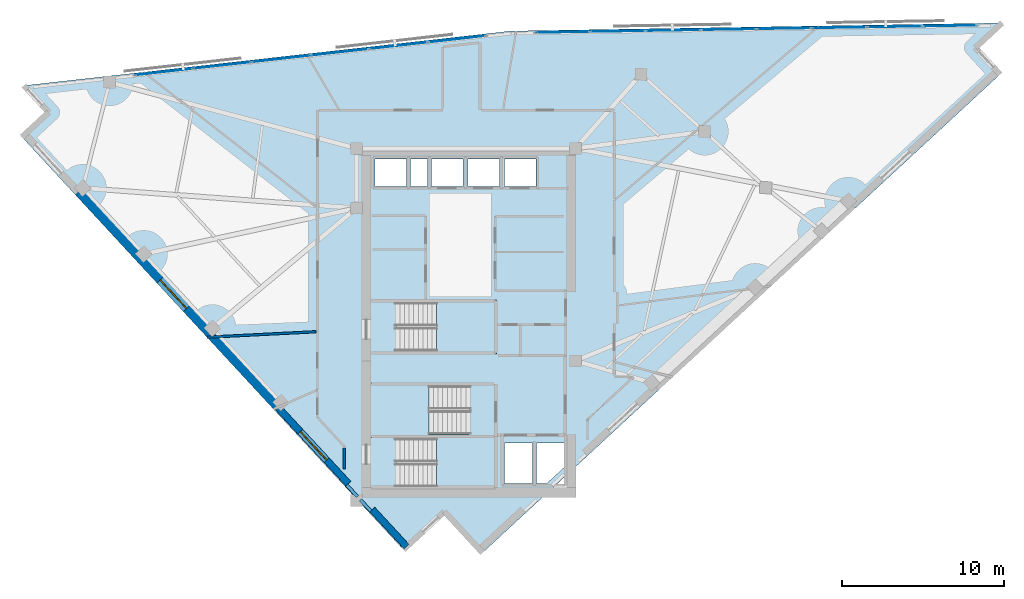
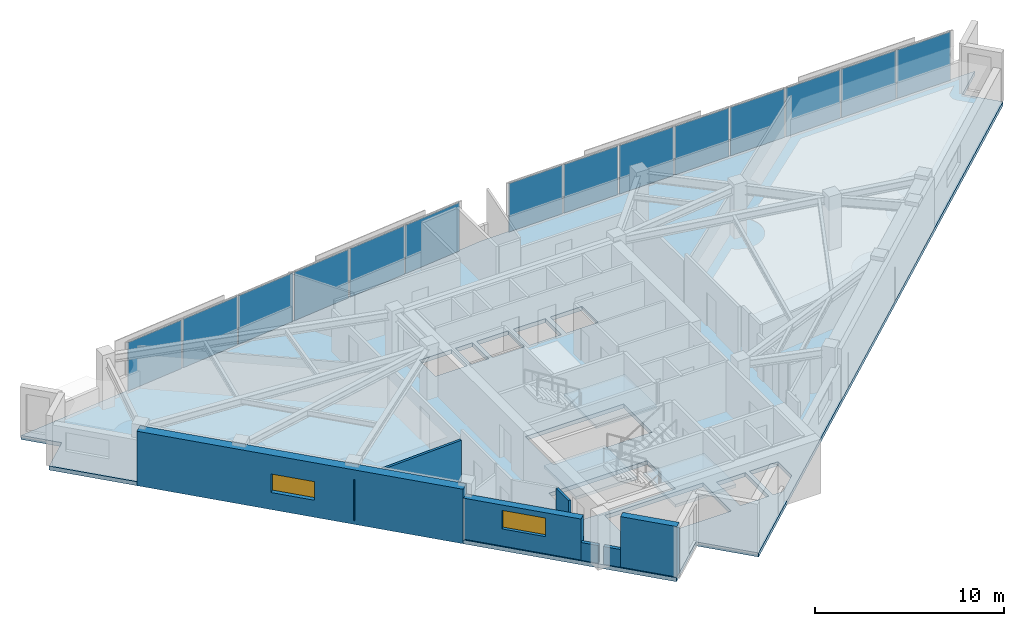
# One storey, part 7 of 13: 14 plates, 7 walls, 4 slabs, 2 windows, 2 openings, 5 elements without a shape of their own.
"""IFC4 building model written with IfcOpenShell, lengths in metres."""

from ifc_helpers import new_model, si_unit, direction, frame, frame_2d, origin, origin_2d, place, context, subcontext, project, spatial, polyline, rectangle, outline, extrude, material, layer, layer_set, type_object, element, fill, aggregate, save


model = new_model("IFC4")

# Units and contexts
model_context = context("Model", 3, precision=1e-05, world=origin(), true_north=direction((0.0, 1.0)))
body_context = subcontext(model_context, "Body", "Model", "MODEL_VIEW")
ifc_project = project(units=[si_unit("LENGTHUNIT", "METRE"), si_unit("AREAUNIT", "SQUARE_METRE"), si_unit("VOLUMEUNIT", "CUBIC_METRE"), si_unit("PLANEANGLEUNIT", "RADIAN"), si_unit("MASSUNIT", "GRAM", prefix="KILO")], contexts=[model_context])

# Site, building, storey
site_placement = place(None, origin())
site = spatial("IfcSite", under=ifc_project, at=site_placement, CompositionType="ELEMENT")
building_placement = place(site_placement, origin())
building = spatial("IfcBuilding", under=site, at=building_placement, Name="Narakoshi Arena Tower", CompositionType="ELEMENT")
storey_placement = place(building_placement, frame((0.0, 0.0, 278.340087890625)))
storey = spatial("IfcBuildingStorey", under=building, at=storey_placement, Name="L76", CompositionType="ELEMENT", Elevation=278.340087890625)

# Curtain wall, plates
ifc_material_1 = material(Name="Anodised bronze aluminium 6063-T6", Category="aluminium")
curtain_wall_type = type_object("IfcCurtainWallType", Name="CW-HYP-HIGH", PredefinedType="NOTDEFINED", material=ifc_material_1)
curtain_wall_1_placement = place(storey_placement, origin())
curtain_wall_1 = element("IfcCurtainWall", 1, at=curtain_wall_1_placement, inside=storey, type_object=curtain_wall_type, Name="L76 Folded Hypotenuse Curtain Wall 1-1", PredefinedType="NOTDEFINED")
ifc_material_2 = material(Name="Bronze-tinted low-E laminated glass", Category="glass")
ifc_layer_1 = layer(ifc_material_2, 0.0439453125)
ifc_layer_set_1 = layer_set([ifc_layer_1], Name="Bronze-tinted low-E laminated glass")
plate_type = type_object("IfcPlateType", Name="PLT-GLZ-44", PredefinedType="CURTAIN_PANEL", material=ifc_layer_set_1)
plate_1_placement = place(storey_placement, frame((108.725341796875, 64.08984375, 0.06494140625), z_axis=(0.0, 0.0, 1.0), x_axis=(-0.999864804777, -0.016442997569, 0.0)))
plate_1 = element("IfcPlate", 2, at=plate_1_placement, type_object=plate_type, Name="CW-03 panel 1.1", PredefinedType="CURTAIN_PANEL", context=body_context, shape_type="SweptSolid", body=[
    extrude(rectangle(XDim=3.307861328125, YDim=0.0439453125, at=origin_2d()), origin(), (0.0, 0.0, 1.0), 3.1298828125),
])
plate_2_placement = place(storey_placement, frame((105.31787109375, 64.033935546875, 0.06494140625), z_axis=(0.0, 0.0, 1.0), x_axis=(-0.999864804777, -0.016442997569, 0.0)))
plate_2 = element("IfcPlate", 3, at=plate_2_placement, type_object=plate_type, Name="CW-03 panel 2.1", PredefinedType="CURTAIN_PANEL", context=body_context, shape_type="SweptSolid", body=[
    extrude(rectangle(XDim=3.34765625, YDim=0.0439453125, at=origin_2d()), origin(), (0.0, 0.0, 1.0), 3.1298828125),
])
plate_3_placement = place(storey_placement, frame((101.890625, 63.9775390625, 0.06494140625), z_axis=(0.0, 0.0, 1.0), x_axis=(-0.999864804777, -0.016442997569, 0.0)))
plate_3 = element("IfcPlate", 4, at=plate_3_placement, type_object=plate_type, Name="CW-03 panel 3.1", PredefinedType="CURTAIN_PANEL", context=body_context, shape_type="SweptSolid", body=[
    extrude(rectangle(XDim=3.34765625, YDim=0.0439453125, at=origin_2d()), origin(), (0.0, 0.0, 1.0), 3.1298828125),
])
plate_4_placement = place(storey_placement, frame((98.46337890625, 63.921142578125, 0.06494140625), z_axis=(0.0, 0.0, 1.0), x_axis=(-0.999864804777, -0.016442997569, 0.0)))
plate_4 = element("IfcPlate", 5, at=plate_4_placement, type_object=plate_type, Name="CW-03 panel 4.1", PredefinedType="CURTAIN_PANEL", context=body_context, shape_type="SweptSolid", body=[
    extrude(rectangle(XDim=3.34765625, YDim=0.0439453125, at=origin_2d()), origin(), (0.0, 0.0, 1.0), 3.1298828125),
])
plate_5_placement = place(storey_placement, frame((95.0361328125, 63.86474609375, 0.06494140625), z_axis=(0.0, 0.0, 1.0), x_axis=(-0.999864804777, -0.016442997569, 0.0)))
plate_5 = element("IfcPlate", 6, at=plate_5_placement, type_object=plate_type, Name="CW-03 panel 5.1", PredefinedType="CURTAIN_PANEL", context=body_context, shape_type="SweptSolid", body=[
    extrude(rectangle(XDim=3.34765625, YDim=0.0439453125, at=origin_2d()), origin(), (0.0, 0.0, 1.0), 3.1298828125),
])
plate_6_placement = place(storey_placement, frame((91.60888671875, 63.808349609375, 0.06494140625), z_axis=(0.0, 0.0, 1.0), x_axis=(-0.999864804777, -0.016442997569, 0.0)))
plate_6 = element("IfcPlate", 7, at=plate_6_placement, type_object=plate_type, Name="CW-03 panel 6.1", PredefinedType="CURTAIN_PANEL", context=body_context, shape_type="SweptSolid", body=[
    extrude(rectangle(XDim=3.34765625, YDim=0.0439453125, at=origin_2d()), origin(), (0.0, 0.0, 1.0), 3.1298828125),
])
plate_7_placement = place(storey_placement, frame((88.181640625, 63.751953125, 0.06494140625), z_axis=(0.0, 0.0, 1.0), x_axis=(-0.999864804777, -0.016442997569, 0.0)))
plate_7 = element("IfcPlate", 8, at=plate_7_placement, type_object=plate_type, Name="CW-03 panel 7.1", PredefinedType="CURTAIN_PANEL", context=body_context, shape_type="SweptSolid", body=[
    extrude(rectangle(XDim=3.34765625, YDim=0.0439453125, at=origin_2d()), origin(), (0.0, 0.0, 1.0), 3.1298828125),
])
plate_8_placement = place(storey_placement, frame((84.774169921875, 63.696044921875, 0.06494140625), z_axis=(0.0, 0.0, 1.0), x_axis=(-0.999864804777, -0.016442997569, 0.0)))
plate_8 = element("IfcPlate", 9, at=plate_8_placement, type_object=plate_type, Name="CW-03 panel 8.1", PredefinedType="CURTAIN_PANEL", context=body_context, shape_type="SweptSolid", body=[
    extrude(rectangle(XDim=3.307861328125, YDim=0.0439453125, at=origin_2d()), origin(), (0.0, 0.0, 1.0), 3.1298828125),
])
aggregate(curtain_wall_1, [plate_1, plate_2, plate_3, plate_4, plate_5, plate_6, plate_7, plate_8])

curtain_wall_2_placement = place(storey_placement, origin())
curtain_wall_2 = element("IfcCurtainWall", 10, at=curtain_wall_2_placement, inside=storey, type_object=curtain_wall_type, Name="L76 Folded Hypotenuse Curtain Wall 2-1", PredefinedType="NOTDEFINED")
plate_9_placement = place(storey_placement, frame((78.222900390625, 63.2705078125, 0.06494140625), z_axis=(0.0, 0.0, 1.0), x_axis=(-0.9937760415, -0.111396496086, 0.0)))
plate_9 = element("IfcPlate", 11, at=plate_9_placement, type_object=plate_type, Name="CW-03 panel 1.1", PredefinedType="CURTAIN_PANEL", context=body_context, shape_type="SweptSolid", body=[
    extrude(rectangle(XDim=3.540283203125, YDim=0.0439453125, at=origin_2d()), origin(), (0.0, 0.0, 1.0), 3.1298828125),
])
plate_10_placement = place(storey_placement, frame((74.605224609375, 62.864990234375, 0.06494140625), z_axis=(0.0, 0.0, 1.0), x_axis=(-0.9937760415, -0.111396496086, 0.0)))
plate_10 = element("IfcPlate", 12, at=plate_10_placement, type_object=plate_type, Name="CW-03 panel 2.1", PredefinedType="CURTAIN_PANEL", context=body_context, shape_type="SweptSolid", body=[
    extrude(rectangle(XDim=3.580322265625, YDim=0.0439453125, at=origin_2d()), origin(), (0.0, 0.0, 1.0), 3.1298828125),
])
plate_11_placement = place(storey_placement, frame((70.967529296875, 62.45703125, 0.06494140625), z_axis=(0.0, 0.0, 1.0), x_axis=(-0.9937760415, -0.111396496086, 0.0)))
plate_11 = element("IfcPlate", 13, at=plate_11_placement, type_object=plate_type, Name="CW-03 panel 3.1", PredefinedType="CURTAIN_PANEL", context=body_context, shape_type="SweptSolid", body=[
    extrude(rectangle(XDim=3.580322265625, YDim=0.0439453125, at=origin_2d()), origin(), (0.0, 0.0, 1.0), 3.1298828125),
])
plate_12_placement = place(storey_placement, frame((67.330078125, 62.04931640625, 0.06494140625), z_axis=(0.0, 0.0, 1.0), x_axis=(-0.9937760415, -0.111396496086, 0.0)))
plate_12 = element("IfcPlate", 14, at=plate_12_placement, type_object=plate_type, Name="CW-03 panel 4.1", PredefinedType="CURTAIN_PANEL", context=body_context, shape_type="SweptSolid", body=[
    extrude(rectangle(XDim=3.580322265625, YDim=0.0439453125, at=origin_2d()), origin(), (0.0, 0.0, 1.0), 3.1298828125),
])
plate_13_placement = place(storey_placement, frame((63.6923828125, 61.6416015625, 0.06494140625), z_axis=(0.0, 0.0, 1.0), x_axis=(-0.9937760415, -0.111396496086, 0.0)))
plate_13 = element("IfcPlate", 15, at=plate_13_placement, type_object=plate_type, Name="CW-03 panel 5.1", PredefinedType="CURTAIN_PANEL", context=body_context, shape_type="SweptSolid", body=[
    extrude(rectangle(XDim=3.580322265625, YDim=0.0439453125, at=origin_2d()), origin(), (0.0, 0.0, 1.0), 3.1298828125),
])
plate_14_placement = place(storey_placement, frame((60.07470703125, 61.236083984375, 0.06494140625), z_axis=(0.0, 0.0, 1.0), x_axis=(-0.9937760415, -0.111396496086, 0.0)))
plate_14 = element("IfcPlate", 16, at=plate_14_placement, type_object=plate_type, Name="CW-03 panel 6.1", PredefinedType="CURTAIN_PANEL", context=body_context, shape_type="SweptSolid", body=[
    extrude(rectangle(XDim=3.540283203125, YDim=0.0439453125, at=origin_2d()), origin(), (0.0, 0.0, 1.0), 3.1298828125),
])
aggregate(curtain_wall_2, [plate_9, plate_10, plate_11, plate_12, plate_13, plate_14])

# Stair, slab
ifc_material_3 = material(Name="Concrete C45/55", Category="concrete")
stair_type = type_object("IfcStairType", Name="STR-CORE-352", PredefinedType="TWO_STRAIGHT_RUN_STAIR", material=ifc_material_3)
stair_1_placement = place(storey_placement, origin())
stair_1 = element("IfcStair", 17, at=stair_1_placement, inside=storey, type_object=stair_type, Name="L76 Core Escape Stair ST1", PredefinedType="TWO_STRAIGHT_RUN_STAIR")
ifc_layer_2 = layer(ifc_material_3, 0.18994140625)
ifc_layer_set_2 = layer_set([ifc_layer_2], Name="Concrete C45/55")
slab_type_1 = type_object("IfcSlabType", Name="SLB-LND-190", PredefinedType="LANDING", material=ifc_layer_set_2)
slab_1_placement = place(storey_placement, frame((0.0, 0.0, 1.56982421875)))
slab_1 = element("IfcSlab", 18, at=slab_1_placement, type_object=slab_type_1, Name="ST1 landing 1", PredefinedType="LANDING", context=body_context, shape_type="SweptSolid", body=[
    extrude(outline(polyline([(76.965087890625, 35.3701171875), (80.679931640625, 35.3701171875), (80.679931640625, 38.72998046875), (76.965087890625, 38.72998046875), (76.965087890625, 35.3701171875)])), origin(), (0.0, 0.0, 1.0), 0.190185546875),
])
aggregate(stair_1, [slab_1])

stair_2_placement = place(storey_placement, origin())
stair_2 = element("IfcStair", 19, at=stair_2_placement, inside=storey, type_object=stair_type, Name="L76 Core Escape Stair ST2", PredefinedType="TWO_STRAIGHT_RUN_STAIR")
slab_2_placement = place(storey_placement, frame((0.0, 0.0, 1.56982421875)))
slab_2 = element("IfcSlab", 20, at=slab_2_placement, type_object=slab_type_1, Name="ST2 landing 1", PredefinedType="LANDING", context=body_context, shape_type="SweptSolid", body=[
    extrude(outline(polyline([(72.77001953125, 38.6201171875), (76.485107421875, 38.6201171875), (76.485107421875, 41.97998046875), (72.77001953125, 41.97998046875), (72.77001953125, 38.6201171875)])), origin(), (0.0, 0.0, 1.0), 0.190185546875),
])
aggregate(stair_2, [slab_2])

stair_3_placement = place(storey_placement, origin())
stair_3 = element("IfcStair", 21, at=stair_3_placement, inside=storey, type_object=stair_type, Name="L76 Core Escape Stair ST3", PredefinedType="TWO_STRAIGHT_RUN_STAIR")
slab_3_placement = place(storey_placement, frame((0.0, 0.0, 1.56982421875)))
slab_3 = element("IfcSlab", 22, at=slab_3_placement, type_object=slab_type_1, Name="ST3 landing 1", PredefinedType="LANDING", context=body_context, shape_type="SweptSolid", body=[
    extrude(outline(polyline([(76.965087890625, 43.77001953125), (80.679931640625, 43.77001953125), (80.679931640625, 47.1298828125), (76.965087890625, 47.1298828125), (76.965087890625, 43.77001953125)])), origin(), (0.0, 0.0, 1.0), 0.190185546875),
])
aggregate(stair_3, [slab_3])

# Slab
ifc_material_4 = material(Name="Concrete C50/60", Category="concrete")
ifc_layer_3 = layer(ifc_material_4, 0.260009765625)
ifc_layer_set_3 = layer_set([ifc_layer_3], Name="Concrete C50/60")
slab_type_2 = type_object("IfcSlabType", Name="SLB-SKY-260", PredefinedType="FLOOR", material=ifc_layer_set_3)
slab_4_placement = place(storey_placement, frame((0.0, 0.0, -0.260009765625)))
element("IfcSlab", 23, at=slab_4_placement, inside=storey, type_object=slab_type_2, Name="L76 Structural Floor Slab", PredefinedType="FLOOR", context=body_context, shape_type="SweptSolid", body=[
    extrude(outline(polyline([(79.8056640625, 31.47216796875), (111.83154296875, 61.076416015625), (110.30078125, 62.732421875), (111.956787109375, 64.26318359375), (81.538818359375, 63.7626953125), (51.42333984375, 60.38720703125), (52.9541015625, 58.731201171875), (51.298095703125, 57.200439453125), (74.9033203125, 31.664794921875), (77.45068359375, 34.01953125), (79.8056640625, 31.47216796875)]), holes=[polyline([(80.5, 35.550048828125), (74.47998046875, 35.550048828125), (74.47998046875, 38.550048828125), (80.5, 38.550048828125), (80.5, 35.550048828125)]), polyline([(82.89990234375, 35.75), (81.14990234375, 35.75), (81.14990234375, 38.25), (82.89990234375, 38.25), (82.89990234375, 35.75)]), polyline([(84.89990234375, 36.794189453125), (83.7705078125, 35.75), (83.14990234375, 35.75), (83.14990234375, 38.25), (84.89990234375, 38.25), (84.89990234375, 36.794189453125)]), polyline([(72.949951171875, 38.800048828125), (72.949951171875, 41.800048828125), (78.969970703125, 41.800048828125), (78.969970703125, 38.800048828125), (72.949951171875, 38.800048828125)]), polyline([(74.47998046875, 43.949951171875), (74.47998046875, 46.949951171875), (80.5, 46.949951171875), (80.5, 43.949951171875), (74.47998046875, 43.949951171875)]), polyline([(75.10009765625, 54.14990234375), (73.14990234375, 54.14990234375), (73.14990234375, 55.85009765625), (75.10009765625, 55.85009765625), (75.10009765625, 54.14990234375)]), polyline([(76.39990234375, 54.14990234375), (75.35009765625, 54.14990234375), (75.35009765625, 55.85009765625), (76.39990234375, 55.85009765625), (76.39990234375, 54.14990234375)]), polyline([(78.60009765625, 54.14990234375), (76.64990234375, 54.14990234375), (76.64990234375, 55.85009765625), (78.60009765625, 55.85009765625), (78.60009765625, 54.14990234375)]), polyline([(78.89990234375, 54.14990234375), (78.89990234375, 55.85009765625), (80.85009765625, 55.85009765625), (80.85009765625, 54.14990234375), (78.89990234375, 54.14990234375)]), polyline([(81.14990234375, 54.14990234375), (81.14990234375, 55.85009765625), (83.10009765625, 55.85009765625), (83.10009765625, 54.14990234375), (81.14990234375, 54.14990234375)])]), origin(), (0.0, 0.0, 1.0), 0.260009765625),
])

# Wall, opening, window
ifc_layer_4 = layer(ifc_material_4, 0.550048828125)
ifc_layer_set_4 = layer_set([ifc_layer_4], Name="Concrete C50/60")
wall_type_1 = type_object("IfcWallType", Name="WL-LEG-550", PredefinedType="SHEAR", material=ifc_layer_set_4)
wall_1_placement = place(storey_placement, frame((54.804931640625, 53.81201171875, -0.260009765625), z_axis=(0.0, 0.0, 1.0), x_axis=(0.678803115619, -0.734320318543, 0.0)))
wall_1 = element("IfcWall", 24, at=wall_1_placement, inside=storey, type_object=wall_type_1, Name="L76 Architectural Concrete Structural Wall LEGB-2", PredefinedType="SHEAR", context=body_context, shape_type="SweptSolid", body=[
    extrude(rectangle(XDim=18.082763671875, YDim=0.550048828125, at=frame_2d((9.04150390625, 0.0))), origin(), (0.0, 0.0, 1.0), 3.52001953125),
])
opening_1_placement = place(wall_1_placement, frame((7.434326171875, 0.0, 1.10009765625)))
opening_1 = element("IfcOpeningElement", 25, at=opening_1_placement, cuts=wall_1, Name="Opening WN-04", PredefinedType="OPENING", context=body_context, shape_type="SweptSolid", body=[
    extrude(rectangle(XDim=2.39990234375, YDim=1.199951171875, at=frame_2d((1.199951171875, 0.60009765625))), frame((0.0, 0.284912109375, 0.0), z_axis=(0.0, -1.0, 0.0), x_axis=(1.0, 0.0, 0.0)), (0.0, 0.0, 1.0), 0.570068359375),
])
window_type = type_object("IfcWindowType", Name="WIN-SLT-24x12", PartitioningType="SINGLE_PANEL", PredefinedType="WINDOW", material=ifc_material_2)
window_1_placement = place(opening_1_placement, origin())
window_1 = element("IfcWindow", 26, at=window_1_placement, inside=storey, type_object=window_type, Name="L76 LEGB2 Horizontal Slot Window 1", OverallHeight=1.199951171875, OverallWidth=2.39990234375, PartitioningType="SINGLE_PANEL", PredefinedType="WINDOW", context=body_context, shape_type="SweptSolid", body=[
    extrude(rectangle(XDim=2.39990234375, YDim=1.199951171875, at=frame_2d((1.199951171875, 0.60009765625))), frame((0.0, 0.030029296875, 0.0), z_axis=(0.0, -1.0, 0.0), x_axis=(1.0, 0.0, 0.0)), (0.0, 0.0, 1.0), 0.06005859375),
])
fill(opening_1, window_1)

# Walls
ifc_material_5 = material(Name="Precast concrete C45/55", Category="concrete")
ifc_layer_5 = layer(ifc_material_5, 0.25)
ifc_layer_set_5 = layer_set([ifc_layer_5], Name="Precast concrete C45/55")
wall_type_2 = type_object("IfcWallType", Name="WL-PARA-250", PredefinedType="PARAPET", material=ifc_layer_set_5)
wall_2_placement = place(storey_placement, frame((72.881103515625, 34.058349609375, 0.0), z_axis=(0.0, 0.0, 1.0), x_axis=(-0.678651758246, 0.734460203843, 0.0)))
element("IfcWall", 27, at=wall_2_placement, inside=storey, type_object=wall_type_2, Name="L76 Crown Sill Upstand Parapet 01", PredefinedType="PARAPET", context=body_context, shape_type="SweptSolid", body=[
    extrude(rectangle(XDim=0.927490234375, YDim=0.199951171875, at=frame_2d((0.4638671875, 0.0))), origin(), (0.0, 0.0, 1.0), 1.14990234375),
])
wall_3_placement = place(storey_placement, frame((72.05908203125, 34.94775390625, 0.0), z_axis=(0.0, 0.0, 1.0), x_axis=(-0.678740051818, 0.734378609478, 0.0)))
element("IfcWall", 28, at=wall_3_placement, inside=storey, type_object=wall_type_2, Name="L76 Crown Sill Upstand Parapet 02", PredefinedType="PARAPET", context=body_context, shape_type="SweptSolid", body=[
    extrude(rectangle(XDim=0.9697265625, YDim=0.199951171875, at=frame_2d((0.48486328125, 0.0))), origin(), (0.0, 0.0, 1.0), 1.14990234375),
])

# Wall, opening, window
ifc_layer_6 = layer(ifc_material_5, 0.419921875)
ifc_layer_set_6 = layer_set([ifc_layer_6], Name="Precast concrete C45/55")
wall_type_3 = type_object("IfcWallType", Name="WL-POD-420", PredefinedType="SOLIDWALL", material=ifc_layer_set_6)
wall_4_placement = place(storey_placement, frame((67.07958984375, 40.533447265625, 0.0), z_axis=(0.0, 0.0, 1.0), x_axis=(0.678800006437, -0.734323192648, 0.0)))
wall_4 = element("IfcWall", 29, at=wall_4_placement, inside=storey, type_object=wall_type_3, Name="L76 Architectural Concrete Facade Wall LEGB-3", PredefinedType="SOLIDWALL", context=body_context, shape_type="SweptSolid", body=[
    extrude(rectangle(XDim=6.51220703125, YDim=0.419921875, at=frame_2d((3.256103515625, 0.0))), origin(), (0.0, 0.0, 1.0), 2.64501953125),
])
opening_2_placement = place(wall_4_placement, frame((2.128662109375, 0.0, 1.10009765625)))
opening_2 = element("IfcOpeningElement", 30, at=opening_2_placement, cuts=wall_4, Name="Opening WN-04", PredefinedType="OPENING", context=body_context, shape_type="SweptSolid", body=[
    extrude(rectangle(XDim=2.39990234375, YDim=1.199951171875, at=frame_2d((1.199951171875, 0.60009765625))), frame((0.0, 0.219970703125, 0.0), z_axis=(0.0, -1.0, 0.0), x_axis=(1.0, 0.0, 0.0)), (0.0, 0.0, 1.0), 0.43994140625),
])
window_2_placement = place(opening_2_placement, origin())
window_2 = element("IfcWindow", 31, at=window_2_placement, inside=storey, type_object=window_type, Name="L76 LEGB3 Horizontal Slot Window 1", OverallHeight=1.199951171875, OverallWidth=2.39990234375, PartitioningType="SINGLE_PANEL", PredefinedType="WINDOW", context=body_context, shape_type="SweptSolid", body=[
    extrude(rectangle(XDim=2.39990234375, YDim=1.199951171875, at=frame_2d((1.199951171875, 0.60009765625))), frame((0.0, 0.030029296875, 0.0), z_axis=(0.0, -1.0, 0.0), x_axis=(1.0, 0.0, 0.0)), (0.0, 0.0, 1.0), 0.06005859375),
])
fill(opening_2, window_2)

# Walls
wall_5_placement = place(storey_placement, frame((72.980224609375, 34.14990234375, 0.0), z_axis=(0.0, 0.0, 1.0), x_axis=(0.67879500555, -0.73432781538, 0.0)))
element("IfcWall", 32, at=wall_5_placement, inside=storey, type_object=wall_type_3, Name="L76 Architectural Concrete Facade Wall LEGB-4", PredefinedType="SOLIDWALL", context=body_context, shape_type="SweptSolid", body=[
    extrude(rectangle(XDim=3.130126953125, YDim=0.419921875, at=frame_2d((1.56494140625, 0.0))), origin(), (0.0, 0.0, 1.0), 3.260009765625),
])
ifc_material_6 = material(Name="Moisture-resistant cement-board partition")
ifc_layer_7 = layer(ifc_material_6, 0.14501953125)
ifc_layer_set_7 = layer_set([ifc_layer_7], Name="Moisture-resistant cement-board partition")
wall_type_4 = type_object("IfcWallType", Name="WL-WET-145", PredefinedType="PARTITIONING", material=ifc_layer_set_7)
wall_6_placement = place(storey_placement, frame((62.7509765625, 44.810791015625, 0.0), z_axis=(0.0, 0.0, 1.0), x_axis=(0.998725271885, 0.050476046784, 0.0)))
element("IfcWall", 33, at=wall_6_placement, inside=storey, type_object=wall_type_4, Name="L76 Inter-Room Partition 01-09", PredefinedType="PARTITIONING", context=body_context, shape_type="SweptSolid", body=[
    extrude(rectangle(XDim=6.76171875, YDim=0.14501953125, at=frame_2d((3.380859375, 0.0))), origin(), (0.0, 0.0, 1.0), 2.64501953125),
])
wall_7_placement = place(storey_placement, frame((71.25, 37.958984375, 0.0), z_axis=(0.0, 0.0, 1.0), x_axis=(0.0, -1.0, 0.0)))
element("IfcWall", 34, at=wall_7_placement, inside=storey, type_object=wall_type_4, Name="L76 Room Enclosure Partition 02-1", PredefinedType="PARTITIONING", context=body_context, shape_type="SweptSolid", body=[
    extrude(rectangle(XDim=1.3037109375, YDim=0.14501953125, at=frame_2d((0.65185546875, 0.0))), origin(), (0.0, 0.0, 1.0), 3.260009765625),
])

save(model, "model.ifc")
